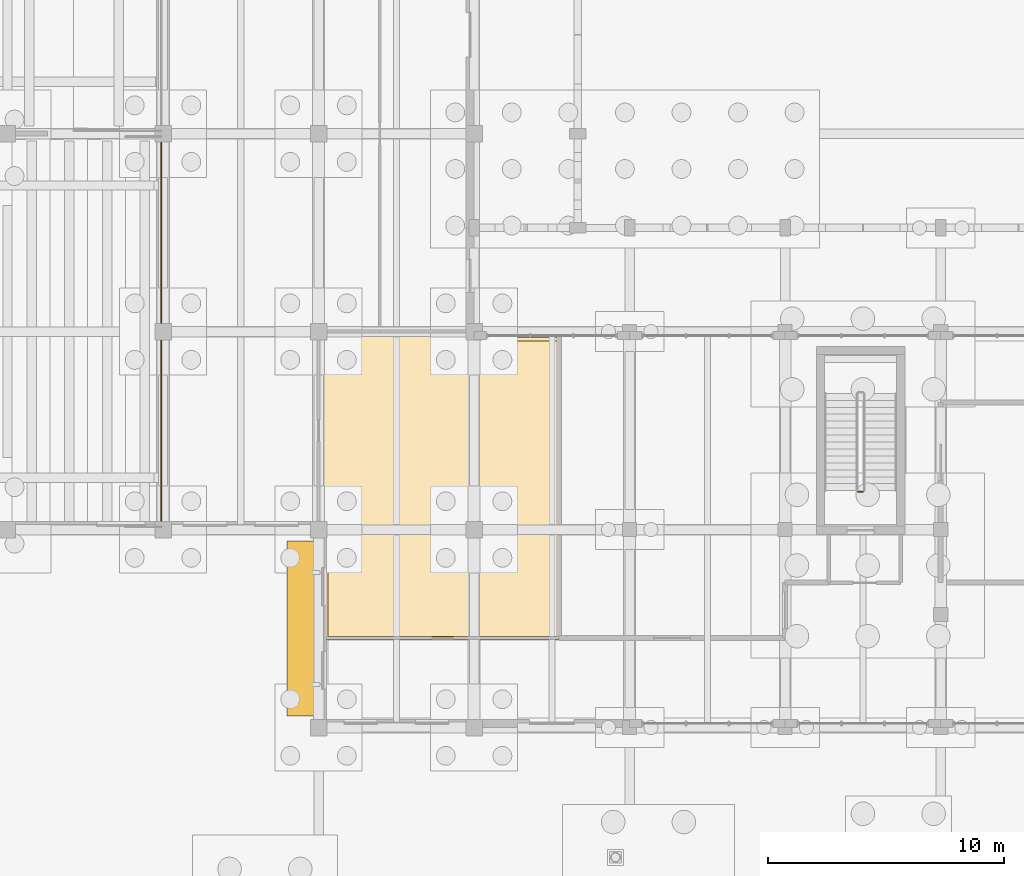
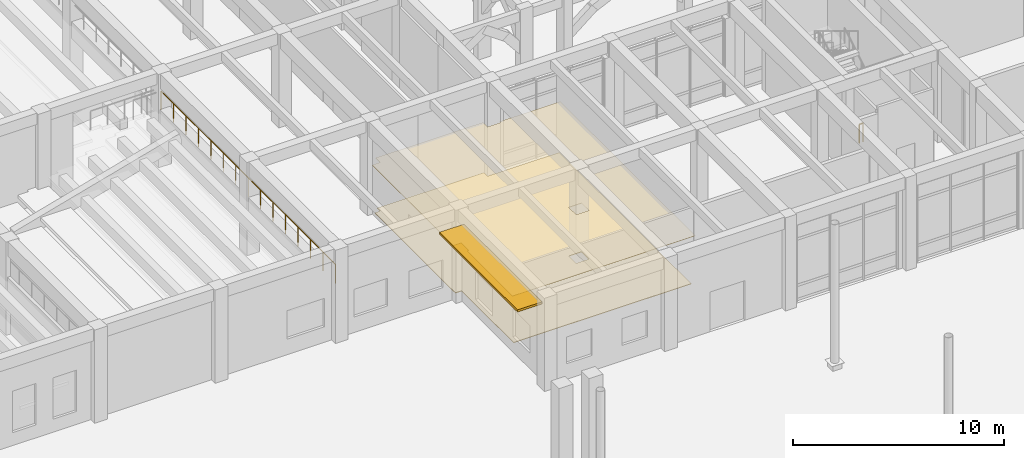
# One storey, part 76 of 82: 2 coverings, 2 railings, 1 shading device.
"""IFC4 building model written with IfcOpenShell, lengths in metres."""

from ifc_helpers import new_model, si_unit, direction, frame, origin, origin_2d, place, context, subcontext, project, spatial, polyline, rectangle, circle, outline, extrude, material, layer, layer_set, type_object, element, save


model = new_model("IFC4")

# Units and contexts
model_context = context("Model", 3, precision=1e-05, world=origin(), true_north=direction((0.0, 1.0)))
body_context = subcontext(model_context, "Body", "Model", "MODEL_VIEW")
ifc_project = project(units=[si_unit("LENGTHUNIT", "METRE"), si_unit("AREAUNIT", "SQUARE_METRE"), si_unit("VOLUMEUNIT", "CUBIC_METRE"), si_unit("PLANEANGLEUNIT", "RADIAN"), si_unit("MASSUNIT", "GRAM", prefix="KILO")], contexts=[model_context])

# Site, building, storey
site_placement = place(None, origin())
site = spatial("IfcSite", under=ifc_project, at=site_placement, CompositionType="ELEMENT")
building_placement = place(site_placement, origin())
building = spatial("IfcBuilding", under=site, at=building_placement, Name="Kolvaren Faculty of Natural Sciences", CompositionType="ELEMENT")
storey_placement = place(building_placement, origin())
storey = spatial("IfcBuildingStorey", under=building, at=storey_placement, Name="L00", CompositionType="ELEMENT", Elevation=0.0)

# Covering
ifc_material_1 = material(Name="Perforated mineral-fibre acoustic suspended ceiling tile")
ifc_layer_1 = layer(ifc_material_1, 0.02490234375)
ifc_layer_set_1 = layer_set([ifc_layer_1], Name="Perforated mineral-fibre acoustic suspended ceiling tile")
covering_type_1 = type_object("IfcCoveringType", Name="AcousticSuspendedCeiling_25", PredefinedType="CEILING", material=ifc_layer_set_1)
covering_1_placement = place(storey_placement, frame((0.0, 0.0, 2.824951171875)))
element("IfcCovering", 1, at=covering_1_placement, inside=storey, type_object=covering_type_1, Name="L00 Campus Bookshop Reading Room acoustic ceiling", PredefinedType="CEILING", context=body_context, shape_type="SweptSolid", body=[
    extrude(outline(polyline([(39.719970703125, 83.85009765625), (40.14990234375, 83.85009765625), (40.14990234375, 84.280029296875), (46.050048828125, 84.280029296875), (46.050048828125, 83.85009765625), (46.75, 83.85009765625), (46.75, 83.93994140625), (50.080078125, 83.93994140625), (50.080078125, 71.1201171875), (40.06005859375, 71.1201171875), (40.06005859375, 75.449951171875), (40.14990234375, 75.449951171875), (40.14990234375, 76.14990234375), (39.719970703125, 76.14990234375), (39.719970703125, 83.85009765625)]), holes=[polyline([(46.75, 76.14990234375), (46.050048828125, 76.14990234375), (46.050048828125, 75.449951171875), (46.75, 75.449951171875), (46.75, 76.14990234375)])]), origin(), (0.0, 0.0, 1.0), 0.025146484375),
])

# Shading device
ifc_material_2 = material(Name="Precast concrete C35/45", Category="concrete")
ifc_layer_2 = layer(ifc_material_2, 0.1201171875)
ifc_layer_set_2 = layer_set([ifc_layer_2], Name="Precast concrete C35/45")
shading_device_type = type_object("IfcShadingDeviceType", Name="ChhajjaSolarHood_1350", PredefinedType="AWNING", material=ifc_layer_set_2)
shading_device_placement = place(storey_placement, frame((39.14501953125, 71.60009765625, 4.44482421875), z_axis=(0.0, 0.0, 1.0), x_axis=(0.0, 1.0, 0.0)))
element("IfcShadingDevice", 2, at=shading_device_placement, inside=storey, type_object=shading_device_type, Name="L00 precast sandstone chhajja solar hood 8", PredefinedType="AWNING", context=body_context, shape_type="SweptSolid", body=[
    extrude(rectangle(XDim=7.419921875, YDim=1.35009765625, at=origin_2d()), origin(), (0.0, 0.0, 1.0), 0.1201171875),
])

# Railings
ifc_material_3 = material(Name="Structural steel EN 10210-1 S355J2H", Category="steel")
ifc_layer_3 = layer(ifc_material_3, 0.048095703125)
ifc_layer_set_3 = layer_set([ifc_layer_3], Name="Structural steel EN 10210-1 S355J2H")
railing_type_1 = type_object("IfcRailingType", Name="GuardRailing_GDVOID1", PredefinedType="BALUSTRADE", material=ifc_layer_set_3)
railing_1_placement = place(storey_placement, frame((33.1201171875, 75.919921875, 3.1201171875)))
element("IfcRailing", 3, at=railing_1_placement, inside=storey, type_object=railing_type_1, Name="L00 LT-3 top tier rear balustrade 54", PredefinedType="BALUSTRADE", context=body_context, shape_type="SweptSolid", body=[
    extrude(circle(Radius=0.02392578125, at=origin_2d()), frame((0.0, 0.0, 1.09619140625), z_axis=(0.0, 1.0, 0.0), x_axis=(-1.0, 0.0, 0.0)), (0.0, 0.0, 1.0), 16.56005859375),
    extrude(circle(Radius=0.02099609375, at=origin_2d()), origin(), (0.0, 0.0, 1.0), 1.072021484375),
    extrude(circle(Radius=0.02099609375, at=origin_2d()), frame((0.0, 1.182861328125, 0.0)), (0.0, 0.0, 1.0), 1.072021484375),
    extrude(circle(Radius=0.02099609375, at=origin_2d()), frame((0.0, 2.36572265625, 0.0)), (0.0, 0.0, 1.0), 1.072021484375),
    extrude(circle(Radius=0.02099609375, at=origin_2d()), frame((0.0, 3.548583984375, 0.0)), (0.0, 0.0, 1.0), 1.072021484375),
    extrude(circle(Radius=0.02099609375, at=origin_2d()), frame((0.0, 4.7314453125, 0.0)), (0.0, 0.0, 1.0), 1.072021484375),
    extrude(circle(Radius=0.02099609375, at=origin_2d()), frame((0.0, 5.914306640625, 0.0)), (0.0, 0.0, 1.0), 1.072021484375),
    extrude(circle(Radius=0.02099609375, at=origin_2d()), frame((0.0, 7.09716796875, 0.0)), (0.0, 0.0, 1.0), 1.072021484375),
    extrude(circle(Radius=0.02099609375, at=origin_2d()), frame((0.0, 8.280029296875, 0.0)), (0.0, 0.0, 1.0), 1.072021484375),
    extrude(circle(Radius=0.02099609375, at=origin_2d()), frame((0.0, 9.462890625, 0.0)), (0.0, 0.0, 1.0), 1.072021484375),
    extrude(circle(Radius=0.02099609375, at=origin_2d()), frame((0.0, 10.645751953125, 0.0)), (0.0, 0.0, 1.0), 1.072021484375),
    extrude(circle(Radius=0.02099609375, at=origin_2d()), frame((0.0, 11.82861328125, 0.0)), (0.0, 0.0, 1.0), 1.072021484375),
    extrude(circle(Radius=0.02099609375, at=origin_2d()), frame((0.0, 13.011474609375, 0.0)), (0.0, 0.0, 1.0), 1.072021484375),
    extrude(circle(Radius=0.02099609375, at=origin_2d()), frame((0.0, 14.1943359375, 0.0)), (0.0, 0.0, 1.0), 1.072021484375),
    extrude(circle(Radius=0.02099609375, at=origin_2d()), frame((0.0, 15.377197265625, 0.0)), (0.0, 0.0, 1.0), 1.072021484375),
    extrude(circle(Radius=0.02099609375, at=origin_2d()), frame((0.0, 16.56005859375, 0.0)), (0.0, 0.0, 1.0), 1.072021484375),
])
ifc_layer_4 = layer(ifc_material_3, 0.048095703125)
ifc_layer_set_4 = layer_set([ifc_layer_4], Name="Structural steel EN 10210-1 S355J2H")
railing_type_2 = type_object("IfcRailingType", Name="StairWellGuard_1100", PredefinedType="BALUSTRADE", material=ifc_layer_set_4)
railing_2_placement = place(storey_placement, frame((62.89990234375, 77.39990234375, 0.0)))
element("IfcRailing", 4, at=railing_2_placement, inside=storey, type_object=railing_type_2, Name="L00 ST-6 stair guard 4", PredefinedType="BALUSTRADE", context=body_context, shape_type="SweptSolid", body=[
    extrude(circle(Radius=0.02392578125, at=origin_2d()), frame((0.0, 0.0, 1.076171875), z_axis=(-1.0, 0.0, 0.0), x_axis=(0.0, -1.0, 0.0)), (0.0, 0.0, 1.0), 0.199951171875),
    extrude(circle(Radius=0.02099609375, at=origin_2d()), origin(), (0.0, 0.0, 1.0), 1.052001953125),
    extrude(circle(Radius=0.02099609375, at=origin_2d()), frame((-0.199951171875, 0.0, 0.0)), (0.0, 0.0, 1.0), 1.052001953125),
])

# Covering
ifc_material_4 = material(Name="Polished Uruguayan grey granite terrazzo flooring", Category="masonry")
ifc_layer_5 = layer(ifc_material_4, 0.030029296875)
ifc_layer_set_5 = layer_set([ifc_layer_5], Name="Polished Uruguayan grey granite terrazzo flooring")
covering_type_2 = type_object("IfcCoveringType", Name="TerrazzoFloorFinish_30", PredefinedType="FLOORING", material=ifc_layer_set_5)
covering_2_placement = place(storey_placement, origin())
element("IfcCovering", 5, at=covering_2_placement, inside=storey, type_object=covering_type_2, Name="L00 Campus Bookshop Reading Room floor finish", PredefinedType="FLOORING", context=body_context, shape_type="SweptSolid", body=[
    extrude(outline(polyline([(40.199951171875, 76.139892578125), (40.19970703125, 76.14599609375), (40.19873046875, 76.151611328125), (40.197509765625, 76.157470703125), (40.1953125, 76.1630859375), (40.19287109375, 76.168212890625), (40.18994140625, 76.17333984375), (40.186279296875, 76.177978515625), (40.182373046875, 76.182373046875), (40.177978515625, 76.186279296875), (40.17333984375, 76.18994140625), (40.168212890625, 76.19287109375), (40.1630859375, 76.1953125), (40.157470703125, 76.197509765625), (40.151611328125, 76.19873046875), (40.14599609375, 76.19970703125), (40.139892578125, 76.199951171875), (39.860107421875, 76.199951171875), (39.860107421875, 83.85009765625), (40.14990234375, 83.85009765625), (40.14990234375, 84.139892578125), (46.0, 84.139892578125), (46.0, 83.860107421875), (46.000244140625, 83.85400390625), (46.001220703125, 83.848388671875), (46.002685546875, 83.842529296875), (46.004638671875, 83.8369140625), (46.007080078125, 83.831787109375), (46.010009765625, 83.82666015625), (46.013671875, 83.822021484375), (46.017578125, 83.817626953125), (46.02197265625, 83.813720703125), (46.026611328125, 83.81005859375), (46.03173828125, 83.80712890625), (46.037109375, 83.8046875), (46.04248046875, 83.802490234375), (46.04833984375, 83.80126953125), (46.05419921875, 83.80029296875), (46.06005859375, 83.800048828125), (49.93994140625, 83.800048828125), (49.93994140625, 71.260009765625), (40.199951171875, 71.260009765625), (40.199951171875, 76.139892578125)]), holes=[polyline([(46.75, 76.14990234375), (46.050048828125, 76.14990234375), (46.050048828125, 75.449951171875), (46.75, 75.449951171875), (46.75, 76.14990234375)])]), origin(), (0.0, 0.0, 1.0), 0.030029296875),
])

save(model, "model.ifc")
